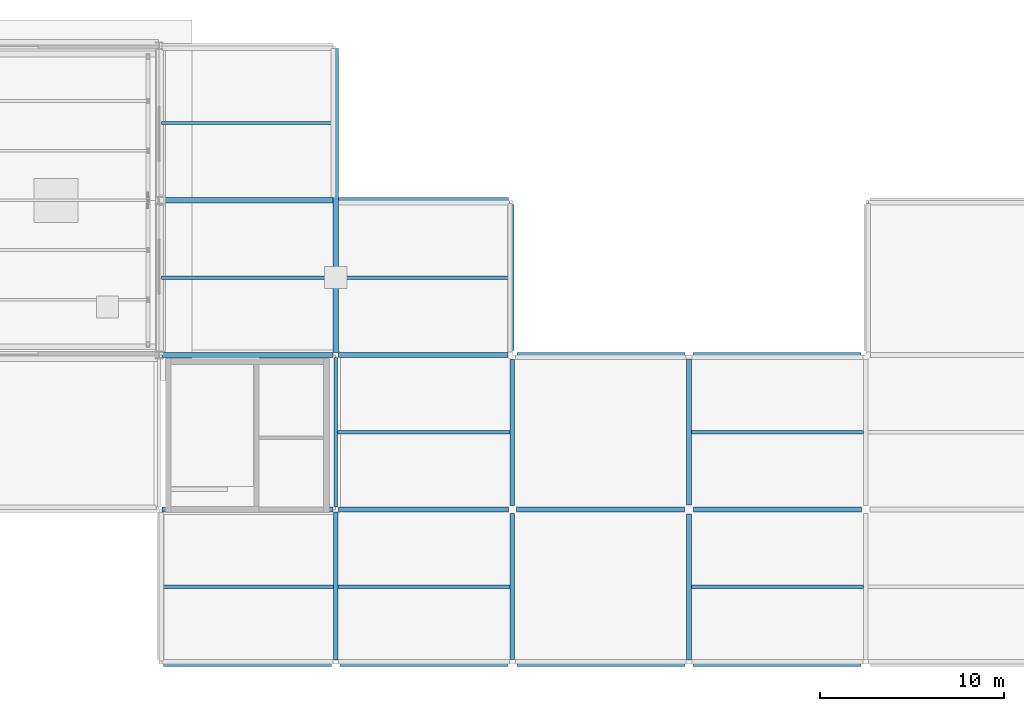
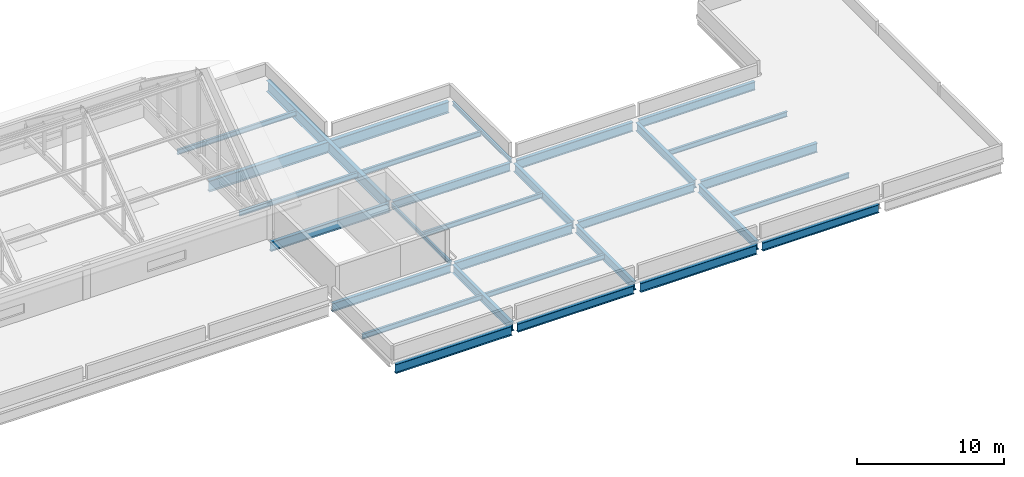
# One storey, part 5 of 10: 29 beams.
"""IFC4 building model written with IfcOpenShell, lengths in metres."""

from ifc_helpers import new_model, si_unit, direction, frame, origin, origin_2d, place, context, subcontext, project, spatial, i_section, extrude, material, material_profile, profile_set, type_object, element, save


model = new_model("IFC4")

# Units and contexts
model_context = context("Model", 3, precision=1e-05, world=origin(), true_north=direction((0.0, 1.0)))
body_context = subcontext(model_context, "Body", "Model", "MODEL_VIEW")
ifc_project = project(units=[si_unit("LENGTHUNIT", "METRE"), si_unit("AREAUNIT", "SQUARE_METRE"), si_unit("VOLUMEUNIT", "CUBIC_METRE"), si_unit("PLANEANGLEUNIT", "RADIAN"), si_unit("MASSUNIT", "GRAM", prefix="KILO")], contexts=[model_context])

# Site, building, storey
site_placement = place(None, origin())
site = spatial("IfcSite", under=ifc_project, at=site_placement, CompositionType="ELEMENT")
building_placement = place(site_placement, origin())
building = spatial("IfcBuilding", under=site, at=building_placement, Name="Lornevale Opera House", CompositionType="ELEMENT")
storey_placement = place(building_placement, frame((0.0, 0.0, 31.199951171875)))
storey = spatial("IfcBuildingStorey", under=building, at=storey_placement, Name="RF", CompositionType="ELEMENT", Elevation=31.199951171875)

# Beams
ifc_material = material(Name="Structural Steel CSA G40.21 Grade 350W (350 MPa)", Category="steel")
ifc_material_profile_1 = material_profile(ifc_material, i_section(OverallWidth=0.179931640625, OverallDepth=0.4130859375, WebThickness=0.009765625, FlangeThickness=0.01611328125, at=origin_2d()), Name="W410x74")
ifc_profile_set_1 = profile_set([ifc_material_profile_1], Name="Structural Steel CSA G40.21 Grade 350W (350 MPa)")
beam_type_1 = type_object("IfcBeamType", Name="Steel Floor Joist W410x74", PredefinedType="JOIST", material=ifc_profile_set_1)
beam_1_placement = place(storey_placement, frame((96.08349609375, 54.60009765625, -0.521484375), z_axis=(1.0, 0.0, 0.0), x_axis=(0.0, 1.0, 0.0)))
element("IfcBeam", 1, at=beam_1_placement, inside=storey, type_object=beam_type_1, Name="Steel Floor Joist W410x74 2929", PredefinedType="JOIST", context=body_context, shape_type="SweptSolid", body=[
    extrude(i_section(OverallWidth=0.179931640625, OverallDepth=0.4130859375, WebThickness=0.009765625, FlangeThickness=0.01611328125, at=origin_2d()), origin(), (0.0, 0.0, 1.0), 9.389404296875),
])
for number, where, z_axis, x_axis, name in (
    (2, (96.126953125, 71.39990234375, -0.54150390625), (1.0, 0.0, 0.0), (0.0, 1.0, 0.0), "Steel Floor Joist W410x74 2930"),
    (3, (96.126953125, 79.800048828125, -0.54150390625), (1.0, 0.0, 0.0), (0.0, 1.0, 0.0), "Steel Floor Joist W410x74 2931"),
):
    element("IfcBeam", number, at=place(storey_placement, frame(where, z_axis=z_axis, x_axis=x_axis)), inside=storey, type_object=beam_type_1, Name=name, PredefinedType="JOIST", context=body_context, shape_type="SweptSolid", body=[
        extrude(i_section(OverallWidth=0.179931640625, OverallDepth=0.4130859375, WebThickness=0.009765625, FlangeThickness=0.01611328125, at=origin_2d()), origin(), (0.0, 0.0, 1.0), 9.320068359375),
    ])
beam_2_placement = place(storey_placement, frame((105.72705078125, 54.60009765625, -0.521484375), z_axis=(1.0, 0.0, 0.0), x_axis=(0.0, 1.0, 0.0)))
element("IfcBeam", 4, at=beam_2_placement, inside=storey, type_object=beam_type_1, Name="Steel Floor Joist W410x74 2932", PredefinedType="JOIST", context=body_context, shape_type="SweptSolid", body=[
    extrude(i_section(OverallWidth=0.179931640625, OverallDepth=0.4130859375, WebThickness=0.009765625, FlangeThickness=0.01611328125, at=origin_2d()), origin(), (0.0, 0.0, 1.0), 9.345947265625),
])
beam_3_placement = place(storey_placement, frame((105.68359375, 63.0, -0.521484375), z_axis=(1.0, 0.0, 0.0), x_axis=(0.0, 1.0, 0.0)))
element("IfcBeam", 5, at=beam_3_placement, inside=storey, type_object=beam_type_1, Name="Steel Floor Joist W410x74 2933", PredefinedType="JOIST", context=body_context, shape_type="SweptSolid", body=[
    extrude(i_section(OverallWidth=0.179931640625, OverallDepth=0.4130859375, WebThickness=0.009765625, FlangeThickness=0.01611328125, at=origin_2d()), origin(), (0.0, 0.0, 1.0), 9.389404296875),
])
beam_4_placement = place(storey_placement, frame((105.7529296875, 71.39990234375, -0.521484375), z_axis=(1.0, 0.0, 0.0), x_axis=(0.0, 1.0, 0.0)))
element("IfcBeam", 6, at=beam_4_placement, inside=storey, type_object=beam_type_1, Name="Steel Floor Joist W410x74 2934", PredefinedType="JOIST", context=body_context, shape_type="SweptSolid", body=[
    extrude(i_section(OverallWidth=0.179931640625, OverallDepth=0.4130859375, WebThickness=0.009765625, FlangeThickness=0.01611328125, at=origin_2d()), origin(), (0.0, 0.0, 1.0), 9.363525390625),
])
for number, where, z_axis, x_axis, name in (
    (7, (124.927001953125, 54.60009765625, -0.511474609375), (1.0, 0.0, 0.0), (0.0, 1.0, 0.0), "Steel Floor Joist W410x74 2935"),
    (8, (124.927001953125, 63.0, -0.511474609375), (1.0, 0.0, 0.0), (0.0, 1.0, 0.0), "Steel Floor Joist W410x74 2936"),
):
    element("IfcBeam", number, at=place(storey_placement, frame(where, z_axis=z_axis, x_axis=x_axis)), inside=storey, type_object=beam_type_1, Name=name, PredefinedType="JOIST", context=body_context, shape_type="SweptSolid", body=[
        extrude(i_section(OverallWidth=0.179931640625, OverallDepth=0.4130859375, WebThickness=0.009765625, FlangeThickness=0.01611328125, at=origin_2d()), origin(), (0.0, 0.0, 1.0), 9.345947265625),
    ])
ifc_material_profile_2 = material_profile(ifc_material, i_section(OverallWidth=0.25390625, OverallDepth=0.68798828125, WebThickness=0.01318359375, FlangeThickness=0.02099609375, at=origin_2d()), Name="W690x152")
ifc_profile_set_2 = profile_set([ifc_material_profile_2], Name="Structural Steel CSA G40.21 Grade 350W (350 MPa)")
beam_type_2 = type_object("IfcBeamType", Name="Steel Foyer Beam W690x152", PredefinedType="USERDEFINED", material=ifc_profile_set_2)
for number, where, z_axis, x_axis, name in (
    (9, (105.824951171875, 50.39990234375, -0.64892578125), (1.0, 0.0, 0.0), (0.0, 1.0, 0.0), "Steel Foyer Beam W690x152 2889"),
    (10, (125.02490234375, 50.39990234375, -0.64892578125), (1.0, 0.0, 0.0), (0.0, 1.0, 0.0), "Steel Foyer Beam W690x152 2891"),
):
    element("IfcBeam", number, at=place(storey_placement, frame(where, z_axis=z_axis, x_axis=x_axis)), inside=storey, type_object=beam_type_2, Name=name, ObjectType="GIRDER", PredefinedType="USERDEFINED", context=body_context, shape_type="SweptSolid", body=[
        extrude(i_section(OverallWidth=0.25390625, OverallDepth=0.68798828125, WebThickness=0.01318359375, FlangeThickness=0.02099609375, at=origin_2d()), origin(), (0.0, 0.0, 1.0), 9.125),
    ])
beam_5_placement = place(storey_placement, frame((96.14794921875, 58.800048828125, -0.658935546875), z_axis=(1.0, 0.0, 0.0), x_axis=(0.0, 1.0, 0.0)))
element("IfcBeam", 11, at=beam_5_placement, inside=storey, type_object=beam_type_2, Name="Steel Foyer Beam W690x152 2894", ObjectType="GIRDER", PredefinedType="USERDEFINED", context=body_context, shape_type="SweptSolid", body=[
    extrude(i_section(OverallWidth=0.25390625, OverallDepth=0.68798828125, WebThickness=0.01318359375, FlangeThickness=0.02099609375, at=origin_2d()), origin(), (0.0, 0.0, 1.0), 9.303955078125),
])
beam_6_placement = place(storey_placement, frame((115.425048828125, 58.800048828125, -0.64892578125), z_axis=(1.0, 0.0, 0.0), x_axis=(0.0, 1.0, 0.0)))
element("IfcBeam", 12, at=beam_6_placement, inside=storey, type_object=beam_type_2, Name="Steel Foyer Beam W690x152 2896", ObjectType="GIRDER", PredefinedType="USERDEFINED", context=body_context, shape_type="SweptSolid", body=[
    extrude(i_section(OverallWidth=0.25390625, OverallDepth=0.68798828125, WebThickness=0.01318359375, FlangeThickness=0.02099609375, at=origin_2d()), origin(), (0.0, 0.0, 1.0), 9.125),
])
beam_7_placement = place(storey_placement, frame((105.748046875, 67.199951171875, -0.658935546875), z_axis=(1.0, 0.0, 0.0), x_axis=(0.0, 1.0, 0.0)))
element("IfcBeam", 13, at=beam_7_placement, inside=storey, type_object=beam_type_2, Name="Steel Foyer Beam W690x152 2901", ObjectType="GIRDER", PredefinedType="USERDEFINED", context=body_context, shape_type="SweptSolid", body=[
    extrude(i_section(OverallWidth=0.25390625, OverallDepth=0.68798828125, WebThickness=0.01318359375, FlangeThickness=0.02099609375, at=origin_2d()), origin(), (0.0, 0.0, 1.0), 9.201904296875),
])
beam_8_placement = place(storey_placement, frame((125.02490234375, 67.199951171875, -0.64892578125), z_axis=(1.0, 0.0, 0.0), x_axis=(0.0, 1.0, 0.0)))
element("IfcBeam", 14, at=beam_8_placement, inside=storey, type_object=beam_type_2, Name="Steel Foyer Beam W690x152 2903", ObjectType="GIRDER", PredefinedType="USERDEFINED", context=body_context, shape_type="SweptSolid", body=[
    extrude(i_section(OverallWidth=0.25390625, OverallDepth=0.68798828125, WebThickness=0.01318359375, FlangeThickness=0.02099609375, at=origin_2d()), origin(), (0.0, 0.0, 1.0), 9.125),
])
beam_9_placement = place(storey_placement, frame((105.60009765625, 50.625, -0.658935546875), z_axis=(0.0, 1.0, 0.0), x_axis=(-1.0, 0.0, 0.0)))
element("IfcBeam", 15, at=beam_9_placement, inside=storey, type_object=beam_type_2, Name="Steel Foyer Beam W690x152 2915", ObjectType="GIRDER", PredefinedType="USERDEFINED", context=body_context, shape_type="SweptSolid", body=[
    extrude(i_section(OverallWidth=0.25390625, OverallDepth=0.68798828125, WebThickness=0.01318359375, FlangeThickness=0.02099609375, at=origin_2d()), origin(), (0.0, 0.0, 1.0), 8.031494140625),
])
for number, where, z_axis, x_axis, name in (
    (16, (115.199951171875, 50.64990234375, -0.64892578125), (0.0, 1.0, 0.0), (-1.0, 0.0, 0.0), "Steel Foyer Beam W690x152 2918"),
    (17, (115.199951171875, 59.02490234375, -0.64892578125), (0.0, 1.0, 0.0), (-1.0, 0.0, 0.0), "Steel Foyer Beam W690x152 2919"),
    (18, (124.800048828125, 50.625, -0.64892578125), (0.0, 1.0, 0.0), (-1.0, 0.0, 0.0), "Steel Foyer Beam W690x152 2921"),
    (19, (124.800048828125, 59.050048828125, -0.64892578125), (0.0, 1.0, 0.0), (-1.0, 0.0, 0.0), "Steel Foyer Beam W690x152 2922"),
):
    element("IfcBeam", number, at=place(storey_placement, frame(where, z_axis=z_axis, x_axis=x_axis)), inside=storey, type_object=beam_type_2, Name=name, ObjectType="GIRDER", PredefinedType="USERDEFINED", context=body_context, shape_type="SweptSolid", body=[
        extrude(i_section(OverallWidth=0.25390625, OverallDepth=0.68798828125, WebThickness=0.01318359375, FlangeThickness=0.02099609375, at=origin_2d()), origin(), (0.0, 0.0, 1.0), 7.925048828125),
    ])
ifc_material_profile_3 = material_profile(ifc_material, i_section(OverallWidth=0.1669921875, OverallDepth=0.31689453125, WebThickness=0.007568359375, FlangeThickness=0.01318359375, at=origin_2d()), Name="W310x52")
ifc_profile_set_3 = profile_set([ifc_material_profile_3], Name="Structural Steel CSA G40.21 Grade 350W (350 MPa)")
beam_type_3 = type_object("IfcBeamType", Name="Steel Spandrel Beam W310x52", PredefinedType="SPANDREL", material=ifc_profile_set_3)
beam_10_placement = place(storey_placement, frame((105.60009765625, 58.943603515625, -0.473388671875), z_axis=(0.0, 1.0, 0.0), x_axis=(-1.0, 0.0, 0.0)))
element("IfcBeam", 20, at=beam_10_placement, inside=storey, type_object=beam_type_3, Name="Steel Spandrel Beam W310x52 2916", PredefinedType="SPANDREL", context=body_context, shape_type="SweptSolid", body=[
    extrude(i_section(OverallWidth=0.1669921875, OverallDepth=0.31689453125, WebThickness=0.007568359375, FlangeThickness=0.01318359375, at=origin_2d()), origin(), (0.0, 0.0, 1.0), 8.11279296875),
])
beam_11_placement = place(storey_placement, frame((115.199951171875, 67.449951171875, -0.46337890625), z_axis=(0.0, 1.0, 0.0), x_axis=(-1.0, 0.0, 0.0)))
element("IfcBeam", 21, at=beam_11_placement, inside=storey, type_object=beam_type_3, Name="Steel Spandrel Beam W310x52 2920", PredefinedType="SPANDREL", context=body_context, shape_type="SweptSolid", body=[
    extrude(i_section(OverallWidth=0.1669921875, OverallDepth=0.31689453125, WebThickness=0.007568359375, FlangeThickness=0.01318359375, at=origin_2d()), origin(), (0.0, 0.0, 1.0), 7.925048828125),
])
ifc_material_profile_4 = material_profile(ifc_material, i_section(OverallWidth=0.305908203125, OverallDepth=0.9189453125, WebThickness=0.017333984375, FlangeThickness=0.02783203125, at=origin_2d()), Name="W920x253")
ifc_profile_set_4 = profile_set([ifc_material_profile_4], Name="Structural Steel CSA G40.21 Grade 350W (350 MPa)")
beam_type_4 = type_object("IfcBeamType", Name="Steel Stagehouse Girder W920x253", PredefinedType="USERDEFINED", material=ifc_profile_set_4)
beam_12_placement = place(storey_placement, frame((96.14794921875, 75.60009765625, -0.79443359375), z_axis=(1.0, 0.0, 0.0), x_axis=(0.0, 1.0, 0.0)))
element("IfcBeam", 22, at=beam_12_placement, inside=storey, type_object=beam_type_4, Name="Steel Stagehouse Girder W920x253 2905", ObjectType="GIRDER", PredefinedType="USERDEFINED", context=body_context, shape_type="SweptSolid", body=[
    extrude(i_section(OverallWidth=0.305908203125, OverallDepth=0.9189453125, WebThickness=0.017333984375, FlangeThickness=0.02783203125, at=origin_2d()), origin(), (0.0, 0.0, 1.0), 18.8271484375),
])
beam_13_placement = place(storey_placement, frame((105.60009765625, 67.343505859375, -0.7744140625), z_axis=(0.0, 1.0, 0.0), x_axis=(-1.0, 0.0, 0.0)))
element("IfcBeam", 23, at=beam_13_placement, inside=storey, type_object=beam_type_4, Name="Steel Stagehouse Girder W920x253 2917", ObjectType="GIRDER", PredefinedType="USERDEFINED", context=body_context, shape_type="SweptSolid", body=[
    extrude(i_section(OverallWidth=0.305908203125, OverallDepth=0.9189453125, WebThickness=0.017333984375, FlangeThickness=0.02783203125, at=origin_2d()), origin(), (0.0, 0.0, 1.0), 16.512939453125),
])
ifc_material_profile_5 = material_profile(ifc_material, i_section(OverallWidth=0.26708984375, OverallDepth=0.76611328125, WebThickness=0.014892578125, FlangeThickness=0.023681640625, at=origin_2d()), Name="W760x185")
ifc_profile_set_5 = profile_set([ifc_material_profile_5], Name="Structural Steel CSA G40.21 Grade 350W (350 MPa)")
beam_type_5 = type_object("IfcBeamType", Name="Steel Workshop Girder W760x185", PredefinedType="USERDEFINED", material=ifc_profile_set_5)
for number, where, z_axis, x_axis, name in (
    (24, (96.25, 50.39990234375, -0.68798828125), (1.0, 0.0, 0.0), (0.0, 1.0, 0.0), "Steel Workshop Girder W760x185 2888"),
    (25, (115.449951171875, 50.39990234375, -0.68798828125), (1.0, 0.0, 0.0), (0.0, 1.0, 0.0), "Steel Workshop Girder W760x185 2890"),
):
    element("IfcBeam", number, at=place(storey_placement, frame(where, z_axis=z_axis, x_axis=x_axis)), inside=storey, type_object=beam_type_5, Name=name, ObjectType="GIRDER", PredefinedType="USERDEFINED", context=body_context, shape_type="SweptSolid", body=[
        extrude(i_section(OverallWidth=0.26708984375, OverallDepth=0.76611328125, WebThickness=0.014892578125, FlangeThickness=0.023681640625, at=origin_2d()), origin(), (0.0, 0.0, 1.0), 9.125),
    ])
beam_14_placement = place(storey_placement, frame((105.748046875, 58.800048828125, -0.697998046875), z_axis=(1.0, 0.0, 0.0), x_axis=(0.0, 1.0, 0.0)))
element("IfcBeam", 26, at=beam_14_placement, inside=storey, type_object=beam_type_5, Name="Steel Workshop Girder W760x185 2895", ObjectType="GIRDER", PredefinedType="USERDEFINED", context=body_context, shape_type="SweptSolid", body=[
    extrude(i_section(OverallWidth=0.26708984375, OverallDepth=0.76611328125, WebThickness=0.014892578125, FlangeThickness=0.023681640625, at=origin_2d()), origin(), (0.0, 0.0, 1.0), 9.22705078125),
])
beam_15_placement = place(storey_placement, frame((125.050048828125, 58.800048828125, -0.68798828125), z_axis=(1.0, 0.0, 0.0), x_axis=(0.0, 1.0, 0.0)))
element("IfcBeam", 27, at=beam_15_placement, inside=storey, type_object=beam_type_5, Name="Steel Workshop Girder W760x185 2897", ObjectType="GIRDER", PredefinedType="USERDEFINED", context=body_context, shape_type="SweptSolid", body=[
    extrude(i_section(OverallWidth=0.26708984375, OverallDepth=0.76611328125, WebThickness=0.014892578125, FlangeThickness=0.023681640625, at=origin_2d()), origin(), (0.0, 0.0, 1.0), 9.125),
])
beam_16_placement = place(storey_placement, frame((96.14794921875, 67.199951171875, -0.718017578125), z_axis=(1.0, 0.0, 0.0), x_axis=(0.0, 1.0, 0.0)))
element("IfcBeam", 28, at=beam_16_placement, inside=storey, type_object=beam_type_5, Name="Steel Workshop Girder W760x185 2900", ObjectType="GIRDER", PredefinedType="USERDEFINED", context=body_context, shape_type="SweptSolid", body=[
    extrude(i_section(OverallWidth=0.26708984375, OverallDepth=0.76611328125, WebThickness=0.014892578125, FlangeThickness=0.023681640625, at=origin_2d()), origin(), (0.0, 0.0, 1.0), 9.303955078125),
])
beam_17_placement = place(storey_placement, frame((115.449951171875, 67.199951171875, -0.68798828125), z_axis=(1.0, 0.0, 0.0), x_axis=(0.0, 1.0, 0.0)))
element("IfcBeam", 29, at=beam_17_placement, inside=storey, type_object=beam_type_5, Name="Steel Workshop Girder W760x185 2902", ObjectType="GIRDER", PredefinedType="USERDEFINED", context=body_context, shape_type="SweptSolid", body=[
    extrude(i_section(OverallWidth=0.26708984375, OverallDepth=0.76611328125, WebThickness=0.014892578125, FlangeThickness=0.023681640625, at=origin_2d()), origin(), (0.0, 0.0, 1.0), 9.125),
])

save(model, "model.ifc")
